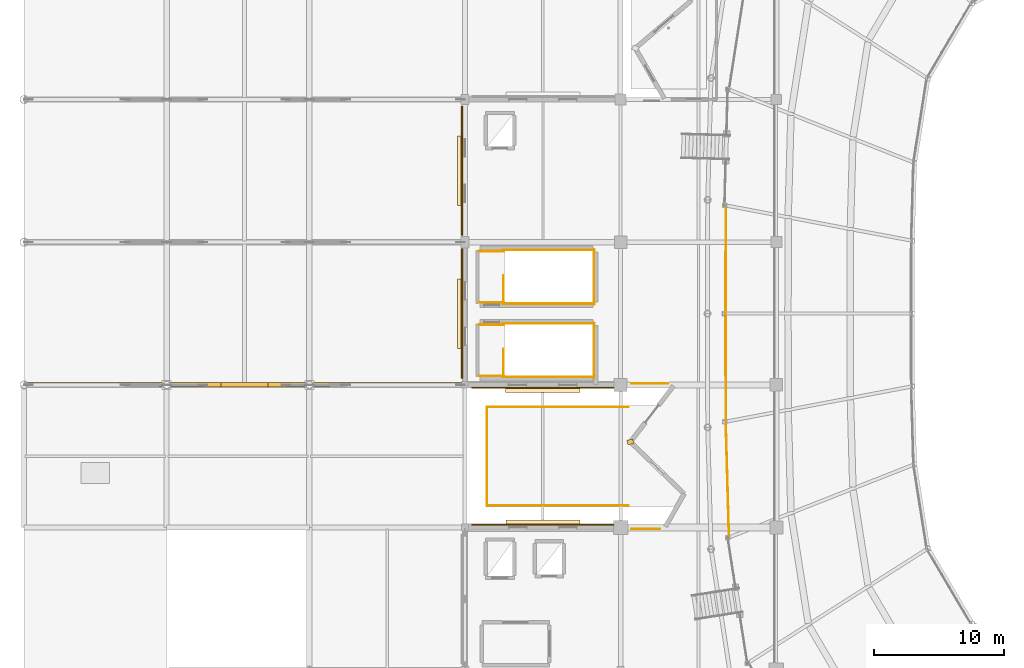
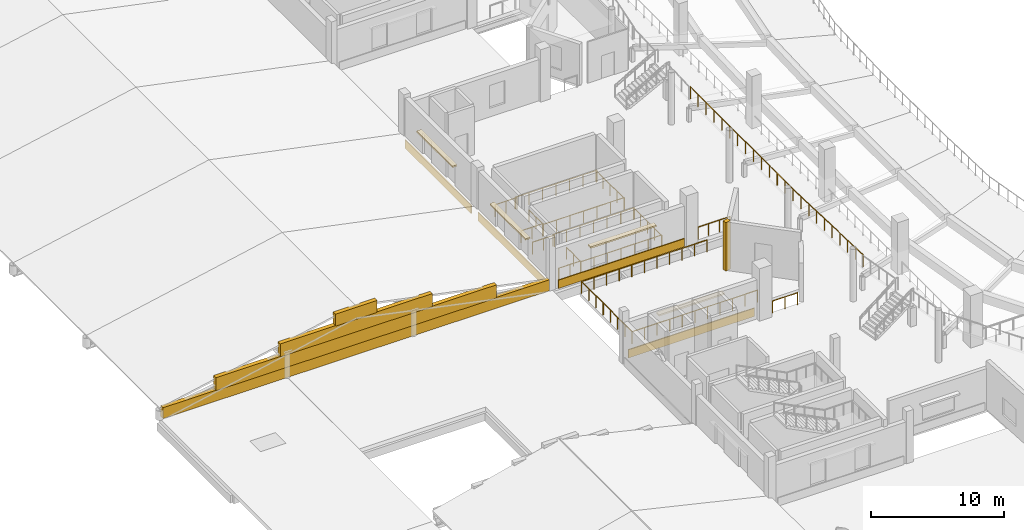
# One storey, part 66 of 77: 20 railings, 13 coverings.
"""IFC4 building model written with IfcOpenShell, lengths in metres."""

from ifc_helpers import new_model, si_unit, direction, frame, origin, origin_2d, place, context, subcontext, project, spatial, rectangle, circle, extrude, material, layer, layer_set, type_object, element, save


model = new_model("IFC4")

# Units and contexts
model_context = context("Model", 3, precision=1e-05, world=origin(), true_north=direction((0.0, 1.0)))
body_context = subcontext(model_context, "Body", "Model", "MODEL_VIEW")
ifc_project = project(units=[si_unit("LENGTHUNIT", "METRE"), si_unit("AREAUNIT", "SQUARE_METRE"), si_unit("VOLUMEUNIT", "CUBIC_METRE"), si_unit("PLANEANGLEUNIT", "RADIAN"), si_unit("MASSUNIT", "GRAM", prefix="KILO")], contexts=[model_context])

# Site, building, storey
site_placement = place(None, origin())
site = spatial("IfcSite", under=ifc_project, at=site_placement, CompositionType="ELEMENT")
building_placement = place(site_placement, origin())
building = spatial("IfcBuilding", under=site, at=building_placement, Name="Luwafu Chhajja Arena", CompositionType="ELEMENT")
storey_placement = place(building_placement, frame((0.0, 0.0, 14.699951171875)))
storey = spatial("IfcBuildingStorey", under=building, at=storey_placement, Name="L03", CompositionType="ELEMENT", Elevation=14.699951171875)

# Coverings
ifc_material_1 = material(Name="Red laterite sandstone cladding", Category="masonry")
ifc_layer = layer(ifc_material_1, 0.074951171875, Name="Red laterite sandstone cladding")
ifc_layer_set = layer_set([ifc_layer], Name="Red laterite sandstone cladding")
covering_type = type_object("IfcCoveringType", Name="Dressed Red-Laterite Sandstone Cladding", PredefinedType="CLADDING", material=ifc_layer_set)
covering_1_placement = place(storey_placement, frame((17.0, 44.0, 0.0), z_axis=(0.0, 0.0, 1.0), x_axis=(1.0, 0.0, 0.0)))
element("IfcCovering", 1, at=covering_1_placement, inside=storey, type_object=covering_type, Name="L03 Warm-Up S Stepped Ashlar Gable Tympanum 1", PredefinedType="CLADDING", context=body_context, shape_type="SweptSolid", body=[
    extrude(rectangle(XDim=33.60009765625, YDim=0.360107421875, at=origin_2d()), origin(), (0.0, 0.0, 1.0), 1.0),
])
covering_2_placement = place(storey_placement, frame((17.0, 44.0, 0.9501953125), z_axis=(0.0, 0.0, 1.0), x_axis=(1.0, 0.0, 0.0)))
element("IfcCovering", 2, at=covering_2_placement, inside=storey, type_object=covering_type, Name="L03 Warm-Up S Stepped Ashlar Gable Tympanum 2", PredefinedType="CLADDING", context=body_context, shape_type="SweptSolid", body=[
    extrude(rectangle(XDim=24.39990234375, YDim=0.360107421875, at=origin_2d()), origin(), (0.0, 0.0, 1.0), 1.199951171875),
])
covering_3_placement = place(storey_placement, frame((17.0, 44.0, 2.10009765625), z_axis=(0.0, 0.0, 1.0), x_axis=(1.0, 0.0, 0.0)))
element("IfcCovering", 3, at=covering_3_placement, inside=storey, type_object=covering_type, Name="L03 Warm-Up S Stepped Ashlar Gable Tympanum 3", PredefinedType="CLADDING", context=body_context, shape_type="SweptSolid", body=[
    extrude(rectangle(XDim=13.199951171875, YDim=0.360107421875, at=origin_2d()), origin(), (0.0, 0.0, 1.0), 1.199951171875),
])
covering_4_placement = place(storey_placement, frame((17.0, 44.0, 3.25), z_axis=(0.0, 0.0, 1.0), x_axis=(1.0, 0.0, 0.0)))
element("IfcCovering", 4, at=covering_4_placement, inside=storey, type_object=covering_type, Name="L03 Warm-Up S Stepped Ashlar Gable Tympanum 4", PredefinedType="CLADDING", context=body_context, shape_type="SweptSolid", body=[
    extrude(rectangle(XDim=3.60009765625, YDim=0.360107421875, at=origin_2d()), origin(), (0.0, 0.0, 1.0), 1.10009765625),
])
covering_5_placement = place(storey_placement, frame((46.750244140625, 39.603759765625, 0.0), z_axis=(0.0, 0.0, 1.0), x_axis=(-0.982532090849, -0.186093230539, 0.0)))
element("IfcCovering", 5, at=covering_5_placement, inside=storey, type_object=covering_type, Name="L03 Pleated Bowl Sandstone Ridge Fin 18", PredefinedType="CLADDING", context=body_context, shape_type="SweptSolid", body=[
    extrude(rectangle(XDim=0.4599609375, YDim=0.360107421875, at=origin_2d()), origin(), (0.0, 0.0, 1.0), 4.455078125),
])
covering_6_placement = place(storey_placement, frame((40.0, 33.23193359375, 0.0), z_axis=(0.0, 0.0, 1.0), x_axis=(1.0, 0.0, 0.0)))
element("IfcCovering", 6, at=covering_6_placement, inside=storey, type_object=covering_type, Name="L03 Red-Laterite Sandstone Plinth Cladding 076", PredefinedType="CLADDING", context=body_context, shape_type="SweptSolid", body=[
    extrude(rectangle(XDim=10.9599609375, YDim=0.0849609375, at=origin_2d()), origin(), (0.0, 0.0, 1.0), 0.760009765625),
])
covering_7_placement = place(storey_placement, frame((40.0, 33.360107421875, 2.93017578125), z_axis=(0.0, 0.0, 1.0), x_axis=(1.0, 0.0, 0.0)))
element("IfcCovering", 7, at=covering_7_placement, inside=storey, type_object=covering_type, Name="L03 Mughal Sandstone Window Chhajja Hood 0072", PredefinedType="CLADDING", context=body_context, shape_type="SweptSolid", body=[
    extrude(rectangle(XDim=5.703369140625, YDim=0.419921875, at=origin_2d()), origin(), (0.0, 0.0, 1.0), 0.139892578125),
])
covering_8_placement = place(storey_placement, frame((39.9951171875, 43.76806640625, 0.0), z_axis=(0.0, 0.0, 1.0), x_axis=(1.0, 0.0, 0.0)))
element("IfcCovering", 8, at=covering_8_placement, inside=storey, type_object=covering_type, Name="L03 Red-Laterite Sandstone Plinth Cladding 078", PredefinedType="CLADDING", context=body_context, shape_type="SweptSolid", body=[
    extrude(rectangle(XDim=10.969970703125, YDim=0.0849609375, at=origin_2d()), origin(), (0.0, 0.0, 1.0), 0.760009765625),
])
covering_9_placement = place(storey_placement, frame((39.9951171875, 43.639892578125, 2.93017578125), z_axis=(0.0, 0.0, 1.0), x_axis=(1.0, 0.0, 0.0)))
element("IfcCovering", 9, at=covering_9_placement, inside=storey, type_object=covering_type, Name="L03 Mughal Sandstone Window Chhajja Hood 0073", PredefinedType="CLADDING", context=body_context, shape_type="SweptSolid", body=[
    extrude(rectangle(XDim=5.70654296875, YDim=0.419921875, at=origin_2d()), origin(), (0.0, 0.0, 1.0), 0.139892578125),
])
covering_10_placement = place(storey_placement, frame((33.76806640625, 49.4951171875, 0.0), z_axis=(0.0, 0.0, 1.0), x_axis=(0.0, 1.0, 0.0)))
element("IfcCovering", 10, at=covering_10_placement, inside=storey, type_object=covering_type, Name="L03 Red-Laterite Sandstone Plinth Cladding 079", PredefinedType="CLADDING", context=body_context, shape_type="SweptSolid", body=[
    extrude(rectangle(XDim=9.969970703125, YDim=0.0849609375, at=origin_2d()), origin(), (0.0, 0.0, 1.0), 0.760009765625),
])
covering_11_placement = place(storey_placement, frame((33.639892578125, 49.4951171875, 2.93017578125), z_axis=(0.0, 0.0, 1.0), x_axis=(0.0, 1.0, 0.0)))
element("IfcCovering", 11, at=covering_11_placement, inside=storey, type_object=covering_type, Name="L03 Mughal Sandstone Window Chhajja Hood 0074", PredefinedType="CLADDING", context=body_context, shape_type="SweptSolid", body=[
    extrude(rectangle(XDim=5.373291015625, YDim=0.419921875, at=origin_2d()), origin(), (0.0, 0.0, 1.0), 0.139892578125),
])
covering_12_placement = place(storey_placement, frame((33.76806640625, 60.5, 0.0), z_axis=(0.0, 0.0, 1.0), x_axis=(0.0, 1.0, 0.0)))
element("IfcCovering", 12, at=covering_12_placement, inside=storey, type_object=covering_type, Name="L03 Red-Laterite Sandstone Plinth Cladding 081", PredefinedType="CLADDING", context=body_context, shape_type="SweptSolid", body=[
    extrude(rectangle(XDim=9.9599609375, YDim=0.0849609375, at=origin_2d()), origin(), (0.0, 0.0, 1.0), 0.760009765625),
])
covering_13_placement = place(storey_placement, frame((33.639892578125, 60.5, 2.93017578125), z_axis=(0.0, 0.0, 1.0), x_axis=(0.0, 1.0, 0.0)))
element("IfcCovering", 13, at=covering_13_placement, inside=storey, type_object=covering_type, Name="L03 Mughal Sandstone Window Chhajja Hood 0076", PredefinedType="CLADDING", context=body_context, shape_type="SweptSolid", body=[
    extrude(rectangle(XDim=5.3701171875, YDim=0.419921875, at=origin_2d()), origin(), (0.0, 0.0, 1.0), 0.139892578125),
])

# Railings
ifc_material_2 = material(Name="Stainless steel balustrade", Category="steel")
railing_type_1 = type_object("IfcRailingType", Name="Seating Bowl Sightline Barrier 1100", PredefinedType="BALUSTRADE", material=ifc_material_2)
railing_1_placement = place(storey_placement, frame((54.112060546875, 57.832275390625, 2.030029296875)))
element("IfcRailing", 14, at=railing_1_placement, inside=storey, type_object=railing_type_1, Name="L03 Upper Tier Rear Barrier 0103", PredefinedType="BALUSTRADE", context=body_context, shape_type="SweptSolid", body=[
    extrude(circle(Radius=0.02392578125, at=origin_2d()), frame((0.0, 0.0, 1.09619140625), z_axis=(-0.001435727666, -0.999998969343, 0.0), x_axis=(0.999998969343, -0.001435727666, 0.0)), (0.0, 0.0, 1.0), 8.332275390625),
    extrude(circle(Radius=0.02099609375, at=origin_2d()), origin(), (0.0, 0.0, 1.0), 1.072021484375),
    extrude(circle(Radius=0.02099609375, at=origin_2d()), frame((-0.001708984375, -1.1904296875, 0.0)), (0.0, 0.0, 1.0), 1.072021484375),
    extrude(circle(Radius=0.02099609375, at=origin_2d()), frame((-0.00341796875, -2.380615234375, 0.0)), (0.0, 0.0, 1.0), 1.072021484375),
    extrude(circle(Radius=0.02099609375, at=origin_2d()), frame((-0.005126953125, -3.571044921875, 0.0)), (0.0, 0.0, 1.0), 1.072021484375),
    extrude(circle(Radius=0.02099609375, at=origin_2d()), frame((-0.0068359375, -4.76123046875, 0.0)), (0.0, 0.0, 1.0), 1.072021484375),
    extrude(circle(Radius=0.02099609375, at=origin_2d()), frame((-0.008544921875, -5.95166015625, 0.0)), (0.0, 0.0, 1.0), 1.072021484375),
    extrude(circle(Radius=0.02099609375, at=origin_2d()), frame((-0.01025390625, -7.141845703125, 0.0)), (0.0, 0.0, 1.0), 1.072021484375),
    extrude(circle(Radius=0.02099609375, at=origin_2d()), frame((-0.011962890625, -8.332275390625, 0.0)), (0.0, 0.0, 1.0), 1.072021484375),
])
railing_2_placement = place(storey_placement, frame((54.10009765625, 49.5, 2.030029296875)))
element("IfcRailing", 15, at=railing_2_placement, inside=storey, type_object=railing_type_1, Name="L03 Upper Tier Rear Barrier 0107", PredefinedType="BALUSTRADE", context=body_context, shape_type="SweptSolid", body=[
    extrude(circle(Radius=0.02392578125, at=origin_2d()), frame((0.0, 0.0, 1.09619140625), z_axis=(0.001435727666, -0.999998969343, 0.0), x_axis=(0.999998969343, 0.001435727666, 0.0)), (0.0, 0.0, 1.0), 8.332275390625),
    extrude(circle(Radius=0.02099609375, at=origin_2d()), origin(), (0.0, 0.0, 1.0), 1.072021484375),
    extrude(circle(Radius=0.02099609375, at=origin_2d()), frame((0.001708984375, -1.1904296875, 0.0)), (0.0, 0.0, 1.0), 1.072021484375),
    extrude(circle(Radius=0.02099609375, at=origin_2d()), frame((0.00341796875, -2.380615234375, 0.0)), (0.0, 0.0, 1.0), 1.072021484375),
    extrude(circle(Radius=0.02099609375, at=origin_2d()), frame((0.005126953125, -3.571044921875, 0.0)), (0.0, 0.0, 1.0), 1.072021484375),
    extrude(circle(Radius=0.02099609375, at=origin_2d()), frame((0.0068359375, -4.76123046875, 0.0)), (0.0, 0.0, 1.0), 1.072021484375),
    extrude(circle(Radius=0.02099609375, at=origin_2d()), frame((0.008544921875, -5.95166015625, 0.0)), (0.0, 0.0, 1.0), 1.072021484375),
    extrude(circle(Radius=0.02099609375, at=origin_2d()), frame((0.01025390625, -7.141845703125, 0.0)), (0.0, 0.0, 1.0), 1.072021484375),
    extrude(circle(Radius=0.02099609375, at=origin_2d()), frame((0.011962890625, -8.332275390625, 0.0)), (0.0, 0.0, 1.0), 1.072021484375),
])
railing_3_placement = place(storey_placement, frame((54.112060546875, 41.167724609375, 2.030029296875)))
element("IfcRailing", 16, at=railing_3_placement, inside=storey, type_object=railing_type_1, Name="L03 Upper Tier Rear Barrier 0111", PredefinedType="BALUSTRADE", context=body_context, shape_type="SweptSolid", body=[
    extrude(circle(Radius=0.02392578125, at=origin_2d()), frame((0.0, 0.0, 1.09619140625), z_axis=(0.027760993985, -0.999614589336, 0.0), x_axis=(0.999614589336, 0.027760993985, 0.0)), (0.0, 0.0, 1.0), 8.92626953125),
    extrude(circle(Radius=0.02099609375, at=origin_2d()), origin(), (0.0, 0.0, 1.0), 1.072021484375),
    extrude(circle(Radius=0.02099609375, at=origin_2d()), frame((0.031005859375, -1.115234375, 0.0)), (0.0, 0.0, 1.0), 1.072021484375),
    extrude(circle(Radius=0.02099609375, at=origin_2d()), frame((0.06201171875, -2.230712890625, 0.0)), (0.0, 0.0, 1.0), 1.072021484375),
    extrude(circle(Radius=0.02099609375, at=origin_2d()), frame((0.093017578125, -3.34619140625, 0.0)), (0.0, 0.0, 1.0), 1.072021484375),
    extrude(circle(Radius=0.02099609375, at=origin_2d()), frame((0.1240234375, -4.46142578125, 0.0)), (0.0, 0.0, 1.0), 1.072021484375),
    extrude(circle(Radius=0.02099609375, at=origin_2d()), frame((0.15478515625, -5.57666015625, 0.0)), (0.0, 0.0, 1.0), 1.072021484375),
    extrude(circle(Radius=0.02099609375, at=origin_2d()), frame((0.185791015625, -6.692138671875, 0.0)), (0.0, 0.0, 1.0), 1.072021484375),
    extrude(circle(Radius=0.02099609375, at=origin_2d()), frame((0.216796875, -7.8076171875, 0.0)), (0.0, 0.0, 1.0), 1.072021484375),
    extrude(circle(Radius=0.02099609375, at=origin_2d()), frame((0.247802734375, -8.9228515625, 0.0)), (0.0, 0.0, 1.0), 1.072021484375),
])
railing_type_2 = type_object("IfcRailingType", Name="Stair and Terrace Guard Balustrade 1100", PredefinedType="BALUSTRADE", material=ifc_material_2)
railing_4_placement = place(storey_placement, frame((36.969970703125, 44.64990234375, 0.0)))
element("IfcRailing", 17, at=railing_4_placement, inside=storey, type_object=railing_type_2, Name="L03 ST-09 top well guard 1", PredefinedType="BALUSTRADE", context=body_context, shape_type="SweptSolid", body=[
    extrude(circle(Radius=0.02392578125, at=origin_2d()), frame((0.0, 0.0, 1.076171875), z_axis=(0.0, 1.0, 0.0), x_axis=(-1.0, 0.0, 0.0)), (0.0, 0.0, 1.0), 2.1201171875),
    extrude(circle(Radius=0.02099609375, at=origin_2d()), origin(), (0.0, 0.0, 1.0), 1.052001953125),
    extrude(circle(Radius=0.02099609375, at=origin_2d()), frame((0.0, 1.06005859375, 0.0)), (0.0, 0.0, 1.0), 1.052001953125),
    extrude(circle(Radius=0.02099609375, at=origin_2d()), frame((0.0, 2.1201171875, 0.0)), (0.0, 0.0, 1.0), 1.052001953125),
])
for number, where, name in (
    (18, (36.919921875, 44.60009765625, 0.0), "L03 ST-09 top well guard 2"),
    (19, (36.919921875, 48.739990234375, 0.0), "L03 ST-09 top well guard 3"),
):
    element("IfcRailing", number, at=place(storey_placement, frame(where)), inside=storey, type_object=railing_type_2, Name=name, PredefinedType="BALUSTRADE", context=body_context, shape_type="SweptSolid", body=[
        extrude(circle(Radius=0.02392578125, at=origin_2d()), frame((0.0, 0.0, 1.076171875), z_axis=(1.0, 0.0, 0.0), x_axis=(0.0, 1.0, 0.0)), (0.0, 0.0, 1.0), 7.080078125),
        extrude(circle(Radius=0.02099609375, at=origin_2d()), origin(), (0.0, 0.0, 1.0), 1.052001953125),
        extrude(circle(Radius=0.02099609375, at=origin_2d()), frame((1.179931640625, 0.0, 0.0)), (0.0, 0.0, 1.0), 1.052001953125),
        extrude(circle(Radius=0.02099609375, at=origin_2d()), frame((2.360107421875, 0.0, 0.0)), (0.0, 0.0, 1.0), 1.052001953125),
        extrude(circle(Radius=0.02099609375, at=origin_2d()), frame((3.5400390625, 0.0, 0.0)), (0.0, 0.0, 1.0), 1.052001953125),
        extrude(circle(Radius=0.02099609375, at=origin_2d()), frame((4.719970703125, 0.0, 0.0)), (0.0, 0.0, 1.0), 1.052001953125),
        extrude(circle(Radius=0.02099609375, at=origin_2d()), frame((5.900146484375, 0.0, 0.0)), (0.0, 0.0, 1.0), 1.052001953125),
        extrude(circle(Radius=0.02099609375, at=origin_2d()), frame((7.080078125, 0.0, 0.0)), (0.0, 0.0, 1.0), 1.052001953125),
    ])
railing_5_placement = place(storey_placement, frame((43.949951171875, 44.550048828125, 0.0)))
element("IfcRailing", 20, at=railing_5_placement, inside=storey, type_object=railing_type_2, Name="L03 ST-09 top well guard 4", PredefinedType="BALUSTRADE", context=body_context, shape_type="SweptSolid", body=[
    extrude(circle(Radius=0.02392578125, at=origin_2d()), frame((0.0, 0.0, 1.076171875), z_axis=(0.0, 1.0, 0.0), x_axis=(-1.0, 0.0, 0.0)), (0.0, 0.0, 1.0), 4.239990234375),
    extrude(circle(Radius=0.02099609375, at=origin_2d()), origin(), (0.0, 0.0, 1.0), 1.052001953125),
    extrude(circle(Radius=0.02099609375, at=origin_2d()), frame((0.0, 1.06005859375, 0.0)), (0.0, 0.0, 1.0), 1.052001953125),
    extrude(circle(Radius=0.02099609375, at=origin_2d()), frame((0.0, 2.1201171875, 0.0)), (0.0, 0.0, 1.0), 1.052001953125),
    extrude(circle(Radius=0.02099609375, at=origin_2d()), frame((0.0, 3.179931640625, 0.0)), (0.0, 0.0, 1.0), 1.052001953125),
    extrude(circle(Radius=0.02099609375, at=origin_2d()), frame((0.0, 4.239990234375, 0.0)), (0.0, 0.0, 1.0), 1.052001953125),
])
for number, where, name in (
    (21, (35.10009765625, 44.699951171875, 0.0), "L03 ST-09 top well guard 5"),
    (22, (35.10009765625, 48.639892578125, 0.0), "L03 ST-09 top well guard 6"),
):
    element("IfcRailing", number, at=place(storey_placement, frame(where)), inside=storey, type_object=railing_type_2, Name=name, PredefinedType="BALUSTRADE", context=body_context, shape_type="SweptSolid", body=[
        extrude(circle(Radius=0.02392578125, at=origin_2d()), frame((0.0, 0.0, 1.076171875), z_axis=(1.0, 0.0, 0.0), x_axis=(0.0, 1.0, 0.0)), (0.0, 0.0, 1.0), 1.919921875),
        extrude(circle(Radius=0.02099609375, at=origin_2d()), origin(), (0.0, 0.0, 1.0), 1.052001953125),
        extrude(circle(Radius=0.02099609375, at=origin_2d()), frame((0.9599609375, 0.0, 0.0)), (0.0, 0.0, 1.0), 1.052001953125),
        extrude(circle(Radius=0.02099609375, at=origin_2d()), frame((1.919921875, 0.0, 0.0)), (0.0, 0.0, 1.0), 1.052001953125),
    ])
railing_6_placement = place(storey_placement, frame((36.969970703125, 50.31005859375, 0.0)))
element("IfcRailing", 23, at=railing_6_placement, inside=storey, type_object=railing_type_2, Name="L03 ST-10 top well guard 1", PredefinedType="BALUSTRADE", context=body_context, shape_type="SweptSolid", body=[
    extrude(circle(Radius=0.02392578125, at=origin_2d()), frame((0.0, 0.0, 1.076171875), z_axis=(0.0, 1.0, 0.0), x_axis=(-1.0, 0.0, 0.0)), (0.0, 0.0, 1.0), 2.119873046875),
    extrude(circle(Radius=0.02099609375, at=origin_2d()), origin(), (0.0, 0.0, 1.0), 1.052001953125),
    extrude(circle(Radius=0.02099609375, at=origin_2d()), frame((0.0, 1.06005859375, 0.0)), (0.0, 0.0, 1.0), 1.052001953125),
    extrude(circle(Radius=0.02099609375, at=origin_2d()), frame((0.0, 2.119873046875, 0.0)), (0.0, 0.0, 1.0), 1.052001953125),
])
for number, where, name in (
    (24, (36.919921875, 50.260009765625, 0.0), "L03 ST-10 top well guard 2"),
    (25, (36.919921875, 54.39990234375, 0.0), "L03 ST-10 top well guard 3"),
):
    element("IfcRailing", number, at=place(storey_placement, frame(where)), inside=storey, type_object=railing_type_2, Name=name, PredefinedType="BALUSTRADE", context=body_context, shape_type="SweptSolid", body=[
        extrude(circle(Radius=0.02392578125, at=origin_2d()), frame((0.0, 0.0, 1.076171875), z_axis=(1.0, 0.0, 0.0), x_axis=(0.0, 1.0, 0.0)), (0.0, 0.0, 1.0), 7.080078125),
        extrude(circle(Radius=0.02099609375, at=origin_2d()), origin(), (0.0, 0.0, 1.0), 1.052001953125),
        extrude(circle(Radius=0.02099609375, at=origin_2d()), frame((1.179931640625, 0.0, 0.0)), (0.0, 0.0, 1.0), 1.052001953125),
        extrude(circle(Radius=0.02099609375, at=origin_2d()), frame((2.360107421875, 0.0, 0.0)), (0.0, 0.0, 1.0), 1.052001953125),
        extrude(circle(Radius=0.02099609375, at=origin_2d()), frame((3.5400390625, 0.0, 0.0)), (0.0, 0.0, 1.0), 1.052001953125),
        extrude(circle(Radius=0.02099609375, at=origin_2d()), frame((4.719970703125, 0.0, 0.0)), (0.0, 0.0, 1.0), 1.052001953125),
        extrude(circle(Radius=0.02099609375, at=origin_2d()), frame((5.900146484375, 0.0, 0.0)), (0.0, 0.0, 1.0), 1.052001953125),
        extrude(circle(Radius=0.02099609375, at=origin_2d()), frame((7.080078125, 0.0, 0.0)), (0.0, 0.0, 1.0), 1.052001953125),
    ])
railing_7_placement = place(storey_placement, frame((43.949951171875, 50.2099609375, 0.0)))
element("IfcRailing", 26, at=railing_7_placement, inside=storey, type_object=railing_type_2, Name="L03 ST-10 top well guard 4", PredefinedType="BALUSTRADE", context=body_context, shape_type="SweptSolid", body=[
    extrude(circle(Radius=0.02392578125, at=origin_2d()), frame((0.0, 0.0, 1.076171875), z_axis=(0.0, 1.0, 0.0), x_axis=(-1.0, 0.0, 0.0)), (0.0, 0.0, 1.0), 4.239990234375),
    extrude(circle(Radius=0.02099609375, at=origin_2d()), origin(), (0.0, 0.0, 1.0), 1.052001953125),
    extrude(circle(Radius=0.02099609375, at=origin_2d()), frame((0.0, 1.06005859375, 0.0)), (0.0, 0.0, 1.0), 1.052001953125),
    extrude(circle(Radius=0.02099609375, at=origin_2d()), frame((0.0, 2.1201171875, 0.0)), (0.0, 0.0, 1.0), 1.052001953125),
    extrude(circle(Radius=0.02099609375, at=origin_2d()), frame((0.0, 3.179931640625, 0.0)), (0.0, 0.0, 1.0), 1.052001953125),
    extrude(circle(Radius=0.02099609375, at=origin_2d()), frame((0.0, 4.239990234375, 0.0)), (0.0, 0.0, 1.0), 1.052001953125),
])
for number, where, name in (
    (27, (35.10009765625, 50.360107421875, 0.0), "L03 ST-10 top well guard 5"),
    (28, (35.10009765625, 54.300048828125, 0.0), "L03 ST-10 top well guard 6"),
):
    element("IfcRailing", number, at=place(storey_placement, frame(where)), inside=storey, type_object=railing_type_2, Name=name, PredefinedType="BALUSTRADE", context=body_context, shape_type="SweptSolid", body=[
        extrude(circle(Radius=0.02392578125, at=origin_2d()), frame((0.0, 0.0, 1.076171875), z_axis=(1.0, 0.0, 0.0), x_axis=(0.0, 1.0, 0.0)), (0.0, 0.0, 1.0), 1.919921875),
        extrude(circle(Radius=0.02099609375, at=origin_2d()), origin(), (0.0, 0.0, 1.0), 1.052001953125),
        extrude(circle(Radius=0.02099609375, at=origin_2d()), frame((0.9599609375, 0.0, 0.0)), (0.0, 0.0, 1.0), 1.052001953125),
        extrude(circle(Radius=0.02099609375, at=origin_2d()), frame((1.919921875, 0.0, 0.0)), (0.0, 0.0, 1.0), 1.052001953125),
    ])
railing_8_placement = place(storey_placement, frame((46.60009765625, 34.699951171875, 0.0)))
element("IfcRailing", 29, at=railing_8_placement, inside=storey, type_object=railing_type_2, Name="L03 West Terrace Balustrade 0007", PredefinedType="BALUSTRADE", context=body_context, shape_type="SweptSolid", body=[
    extrude(circle(Radius=0.02392578125, at=origin_2d()), frame((0.0, 0.0, 1.09619140625), z_axis=(-1.0, 0.0, 0.0), x_axis=(0.0, -1.0, 0.0)), (0.0, 0.0, 1.0), 10.900146484375),
    extrude(circle(Radius=0.02099609375, at=origin_2d()), origin(), (0.0, 0.0, 1.0), 1.072021484375),
    extrude(circle(Radius=0.02099609375, at=origin_2d()), frame((-1.090087890625, 0.0, 0.0)), (0.0, 0.0, 1.0), 1.072021484375),
    extrude(circle(Radius=0.02099609375, at=origin_2d()), frame((-2.179931640625, 0.0, 0.0)), (0.0, 0.0, 1.0), 1.072021484375),
    extrude(circle(Radius=0.02099609375, at=origin_2d()), frame((-3.27001953125, 0.0, 0.0)), (0.0, 0.0, 1.0), 1.072021484375),
    extrude(circle(Radius=0.02099609375, at=origin_2d()), frame((-4.360107421875, 0.0, 0.0)), (0.0, 0.0, 1.0), 1.072021484375),
    extrude(circle(Radius=0.02099609375, at=origin_2d()), frame((-5.4501953125, 0.0, 0.0)), (0.0, 0.0, 1.0), 1.072021484375),
    extrude(circle(Radius=0.02099609375, at=origin_2d()), frame((-6.5400390625, 0.0, 0.0)), (0.0, 0.0, 1.0), 1.072021484375),
    extrude(circle(Radius=0.02099609375, at=origin_2d()), frame((-7.630126953125, 0.0, 0.0)), (0.0, 0.0, 1.0), 1.072021484375),
    extrude(circle(Radius=0.02099609375, at=origin_2d()), frame((-8.72021484375, 0.0, 0.0)), (0.0, 0.0, 1.0), 1.072021484375),
    extrude(circle(Radius=0.02099609375, at=origin_2d()), frame((-9.81005859375, 0.0, 0.0)), (0.0, 0.0, 1.0), 1.072021484375),
    extrude(circle(Radius=0.02099609375, at=origin_2d()), frame((-10.900146484375, 0.0, 0.0)), (0.0, 0.0, 1.0), 1.072021484375),
])
railing_9_placement = place(storey_placement, frame((35.699951171875, 34.699951171875, 0.0)))
element("IfcRailing", 30, at=railing_9_placement, inside=storey, type_object=railing_type_2, Name="L03 West Terrace Balustrade 0008", PredefinedType="BALUSTRADE", context=body_context, shape_type="SweptSolid", body=[
    extrude(circle(Radius=0.02392578125, at=origin_2d()), frame((0.0, 0.0, 1.09619140625), z_axis=(0.0, 1.0, 0.0), x_axis=(-1.0, 0.0, 0.0)), (0.0, 0.0, 1.0), 7.60009765625),
    extrude(circle(Radius=0.02099609375, at=origin_2d()), origin(), (0.0, 0.0, 1.0), 1.072021484375),
    extrude(circle(Radius=0.02099609375, at=origin_2d()), frame((0.0, 1.085693359375, 0.0)), (0.0, 0.0, 1.0), 1.072021484375),
    extrude(circle(Radius=0.02099609375, at=origin_2d()), frame((0.0, 2.17138671875, 0.0)), (0.0, 0.0, 1.0), 1.072021484375),
    extrude(circle(Radius=0.02099609375, at=origin_2d()), frame((0.0, 3.257080078125, 0.0)), (0.0, 0.0, 1.0), 1.072021484375),
    extrude(circle(Radius=0.02099609375, at=origin_2d()), frame((0.0, 4.343017578125, 0.0)), (0.0, 0.0, 1.0), 1.072021484375),
    extrude(circle(Radius=0.02099609375, at=origin_2d()), frame((0.0, 5.4287109375, 0.0)), (0.0, 0.0, 1.0), 1.072021484375),
    extrude(circle(Radius=0.02099609375, at=origin_2d()), frame((0.0, 6.514404296875, 0.0)), (0.0, 0.0, 1.0), 1.072021484375),
    extrude(circle(Radius=0.02099609375, at=origin_2d()), frame((0.0, 7.60009765625, 0.0)), (0.0, 0.0, 1.0), 1.072021484375),
])
railing_10_placement = place(storey_placement, frame((35.699951171875, 42.300048828125, 0.0)))
element("IfcRailing", 31, at=railing_10_placement, inside=storey, type_object=railing_type_2, Name="L03 West Terrace Balustrade 0009", PredefinedType="BALUSTRADE", context=body_context, shape_type="SweptSolid", body=[
    extrude(circle(Radius=0.02392578125, at=origin_2d()), frame((0.0, 0.0, 1.09619140625), z_axis=(1.0, 0.0, 0.0), x_axis=(0.0, 1.0, 0.0)), (0.0, 0.0, 1.0), 10.900146484375),
    extrude(circle(Radius=0.02099609375, at=origin_2d()), origin(), (0.0, 0.0, 1.0), 1.072021484375),
    extrude(circle(Radius=0.02099609375, at=origin_2d()), frame((1.090087890625, 0.0, 0.0)), (0.0, 0.0, 1.0), 1.072021484375),
    extrude(circle(Radius=0.02099609375, at=origin_2d()), frame((2.179931640625, 0.0, 0.0)), (0.0, 0.0, 1.0), 1.072021484375),
    extrude(circle(Radius=0.02099609375, at=origin_2d()), frame((3.27001953125, 0.0, 0.0)), (0.0, 0.0, 1.0), 1.072021484375),
    extrude(circle(Radius=0.02099609375, at=origin_2d()), frame((4.360107421875, 0.0, 0.0)), (0.0, 0.0, 1.0), 1.072021484375),
    extrude(circle(Radius=0.02099609375, at=origin_2d()), frame((5.4501953125, 0.0, 0.0)), (0.0, 0.0, 1.0), 1.072021484375),
    extrude(circle(Radius=0.02099609375, at=origin_2d()), frame((6.5400390625, 0.0, 0.0)), (0.0, 0.0, 1.0), 1.072021484375),
    extrude(circle(Radius=0.02099609375, at=origin_2d()), frame((7.630126953125, 0.0, 0.0)), (0.0, 0.0, 1.0), 1.072021484375),
    extrude(circle(Radius=0.02099609375, at=origin_2d()), frame((8.72021484375, 0.0, 0.0)), (0.0, 0.0, 1.0), 1.072021484375),
    extrude(circle(Radius=0.02099609375, at=origin_2d()), frame((9.81005859375, 0.0, 0.0)), (0.0, 0.0, 1.0), 1.072021484375),
    extrude(circle(Radius=0.02099609375, at=origin_2d()), frame((10.900146484375, 0.0, 0.0)), (0.0, 0.0, 1.0), 1.072021484375),
])
railing_11_placement = place(storey_placement, frame((46.85009765625, 32.89990234375, 0.0)))
element("IfcRailing", 32, at=railing_11_placement, inside=storey, type_object=railing_type_2, Name="L03 Outer Slab Edge Guard 005", PredefinedType="BALUSTRADE", context=body_context, shape_type="SweptSolid", body=[
    extrude(circle(Radius=0.02392578125, at=origin_2d()), frame((0.0, 0.0, 1.09619140625), z_axis=(1.0, 0.0, 0.0), x_axis=(0.0, 1.0, 0.0)), (0.0, 0.0, 1.0), 2.18798828125),
    extrude(circle(Radius=0.02099609375, at=origin_2d()), origin(), (0.0, 0.0, 1.0), 1.072021484375),
    extrude(circle(Radius=0.02099609375, at=origin_2d()), frame((1.093994140625, 0.0, 0.0)), (0.0, 0.0, 1.0), 1.072021484375),
    extrude(circle(Radius=0.02099609375, at=origin_2d()), frame((2.18798828125, 0.0, 0.0)), (0.0, 0.0, 1.0), 1.072021484375),
])
railing_12_placement = place(storey_placement, frame((49.64111328125, 44.10009765625, 0.0)))
element("IfcRailing", 33, at=railing_12_placement, inside=storey, type_object=railing_type_2, Name="L03 Outer Slab Edge Guard 006", PredefinedType="BALUSTRADE", context=body_context, shape_type="SweptSolid", body=[
    extrude(circle(Radius=0.02392578125, at=origin_2d()), frame((0.0, 0.0, 1.09619140625), z_axis=(-1.0, 0.0, 0.0), x_axis=(0.0, -1.0, 0.0)), (0.0, 0.0, 1.0), 2.791015625),
    extrude(circle(Radius=0.02099609375, at=origin_2d()), origin(), (0.0, 0.0, 1.0), 1.072021484375),
    extrude(circle(Radius=0.02099609375, at=origin_2d()), frame((-0.930419921875, 0.0, 0.0)), (0.0, 0.0, 1.0), 1.072021484375),
    extrude(circle(Radius=0.02099609375, at=origin_2d()), frame((-1.860595703125, 0.0, 0.0)), (0.0, 0.0, 1.0), 1.072021484375),
    extrude(circle(Radius=0.02099609375, at=origin_2d()), frame((-2.791015625, 0.0, 0.0)), (0.0, 0.0, 1.0), 1.072021484375),
])

save(model, "model.ifc")
